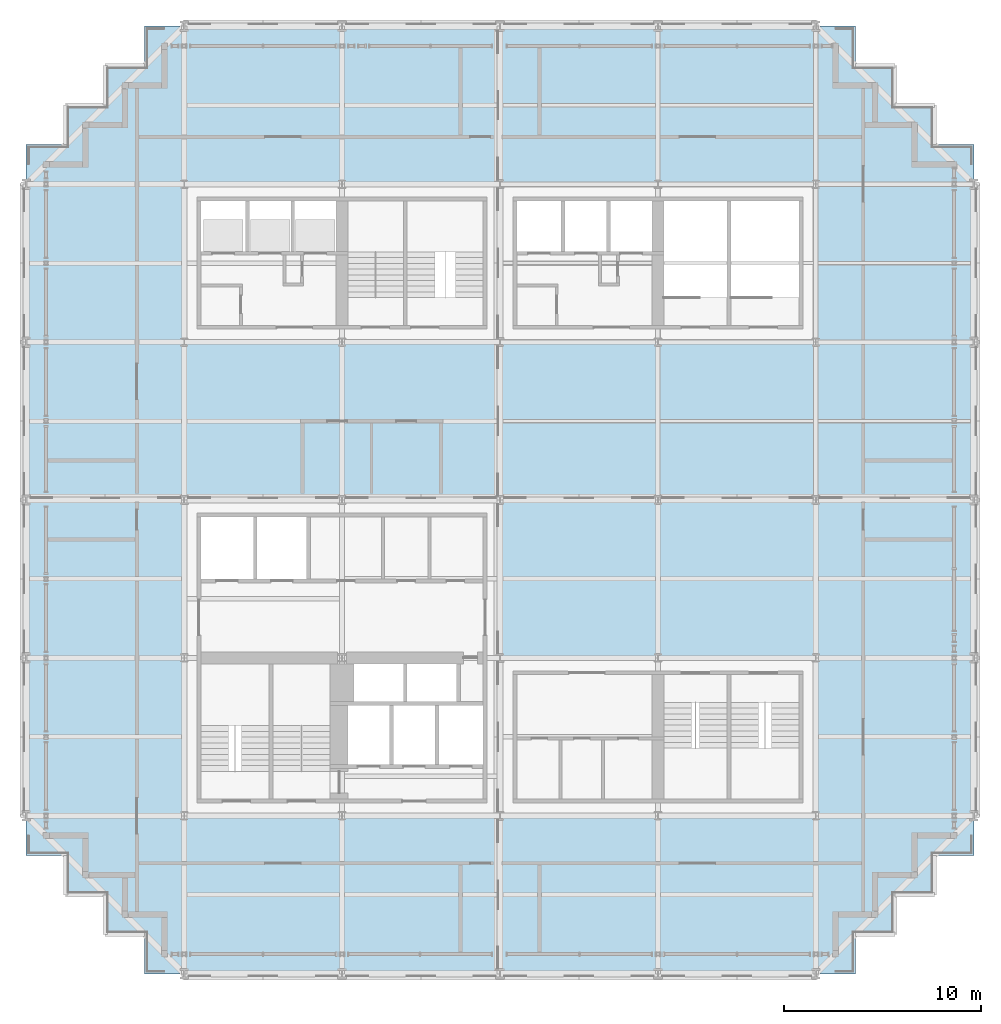
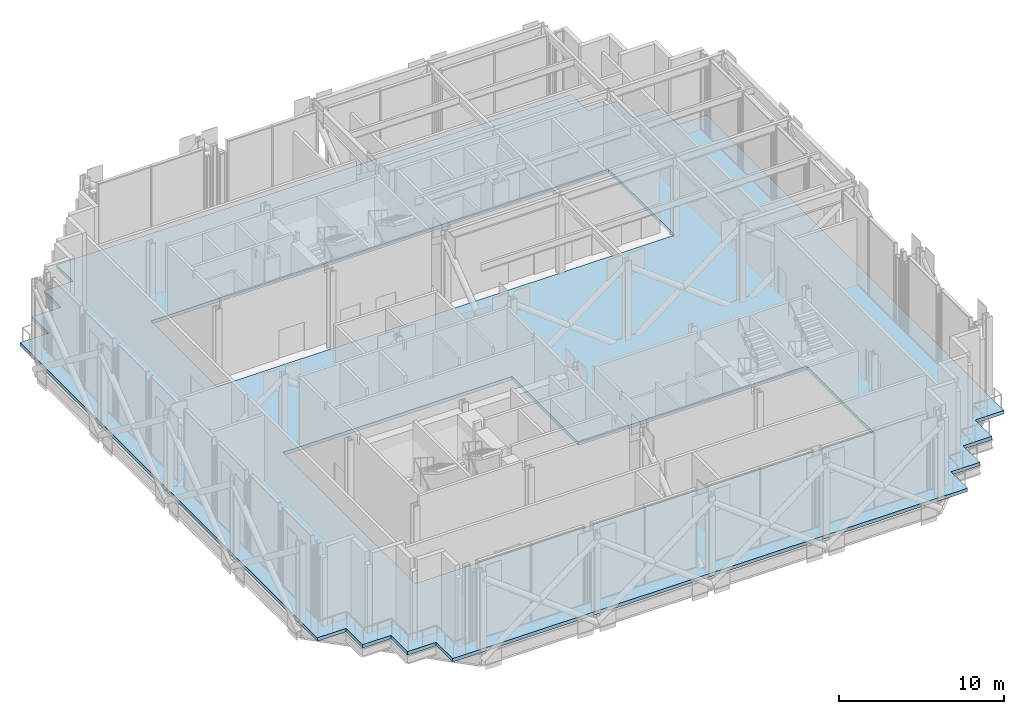
# One storey, part 13 of 25: 1 slab.
"""IFC4 building model written with IfcOpenShell, lengths in metres."""

from ifc_helpers import new_model, si_unit, direction, frame, origin, place, context, subcontext, project, spatial, polyline, outline, extrude, material, layer, layer_set, type_object, element, save


model = new_model("IFC4")

# Units and contexts
model_context = context("Model", 3, precision=1e-05, world=origin(), true_north=direction((0.0, 1.0)))
body_context = subcontext(model_context, "Body", "Model", "MODEL_VIEW")
ifc_project = project(units=[si_unit("LENGTHUNIT", "METRE"), si_unit("AREAUNIT", "SQUARE_METRE"), si_unit("VOLUMEUNIT", "CUBIC_METRE"), si_unit("PLANEANGLEUNIT", "RADIAN"), si_unit("MASSUNIT", "GRAM", prefix="KILO")], contexts=[model_context])

# Site, building, storey
site_placement = place(None, origin())
site = spatial("IfcSite", under=ifc_project, at=site_placement, CompositionType="ELEMENT")
building_placement = place(site_placement, origin())
building = spatial("IfcBuilding", under=site, at=building_placement, Name="Immortelle Media Tower", CompositionType="ELEMENT")
storey_placement = place(building_placement, frame((0.0, 0.0, 114.0)))
storey = spatial("IfcBuildingStorey", under=building, at=storey_placement, Name="L22", CompositionType="ELEMENT", Elevation=114.0)

# Slab
ifc_material = material(Name="Concrete C50/60", Category="concrete")
ifc_layer = layer(ifc_material, 0.25)
ifc_layer_set = layer_set([ifc_layer], Name="Concrete C50/60")
slab_type = type_object("IfcSlabType", Name="Composite floor slab 250", PredefinedType="FLOOR", material=ifc_layer_set)
slab_placement = place(storey_placement, frame((0.0, 0.0, -0.25)))
element("IfcSlab", 1, at=slab_placement, inside=storey, type_object=slab_type, Name="Floor slab L22", PredefinedType="FLOOR", context=body_context, shape_type="SweptSolid", body=[
    extrude(outline(polyline([(0.0, 42.0), (2.0, 42.0), (2.0, 44.0), (4.0, 44.0), (4.0, 46.0), (6.0, 46.0), (6.0, 48.0), (24.0, 48.0), (42.0, 48.0), (42.0, 46.0), (44.0, 46.0), (44.0, 44.0), (46.0, 44.0), (46.0, 42.0), (48.0, 42.0), (48.0, 24.0), (48.0, 6.0), (46.0, 6.0), (46.0, 4.0), (44.0, 4.0), (44.0, 2.0), (42.0, 2.0), (42.0, 0.0), (24.0, 0.0), (6.0, 0.0), (6.0, 2.0), (4.0, 2.0), (4.0, 4.0), (2.0, 4.0), (2.0, 6.0), (0.0, 6.0), (0.0, 24.0), (0.0, 42.0)]), holes=[polyline([(40.0, 16.0), (24.0, 16.0), (24.0, 24.0), (8.0, 24.0), (8.0, 8.0), (24.0, 8.0), (40.0, 8.0), (40.0, 16.0)]), polyline([(8.0, 32.0), (24.0, 32.0), (40.0, 32.0), (40.0, 40.0), (24.0, 40.0), (8.0, 40.0), (8.0, 32.0)])]), origin(), (0.0, 0.0, 1.0), 0.25),
])

save(model, "model.ifc")
